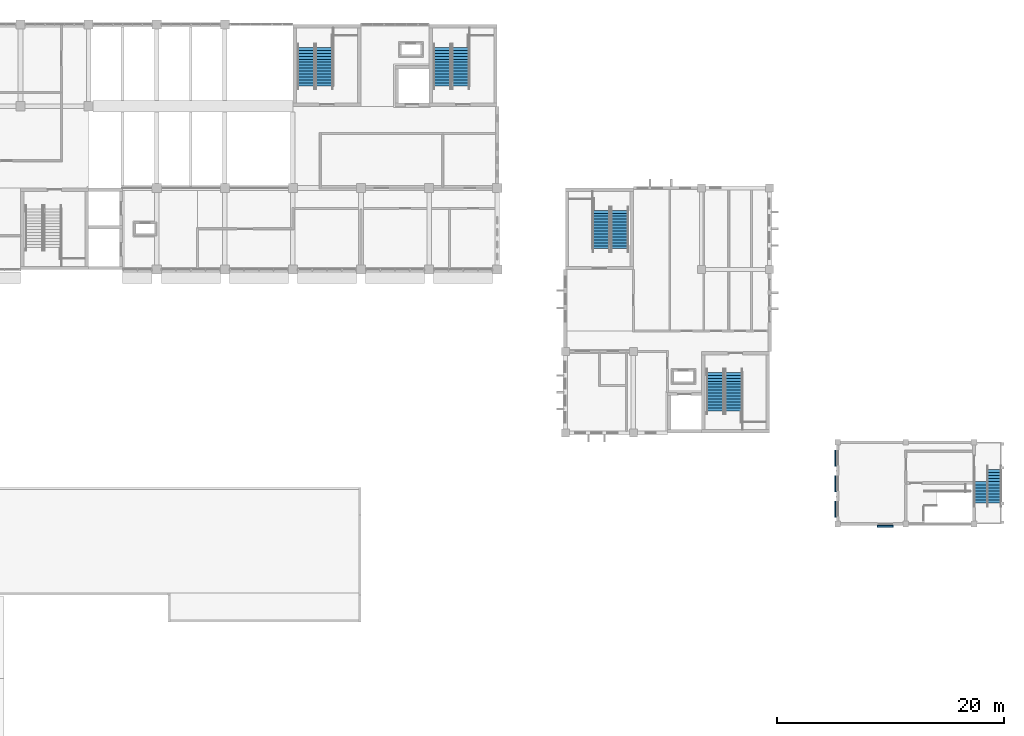
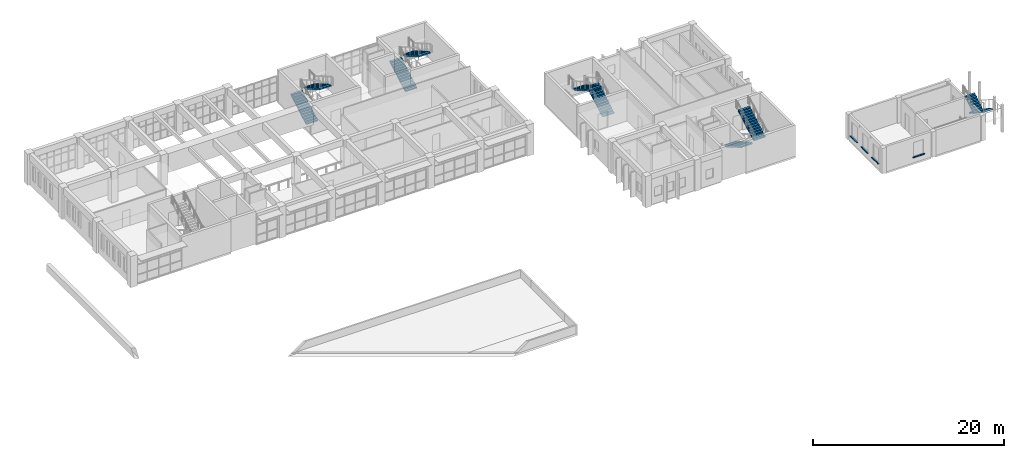
# One storey, part 37 of 47: 10 stair flights, 4 discrete accessories, 5 elements without a shape of their own.
"""IFC4 building model written with IfcOpenShell, lengths in metres."""

from ifc_helpers import new_model, si_unit, direction, frame, origin, origin_2d, place, context, subcontext, project, spatial, polyline, rectangle, outline, extrude, material, type_object, element, aggregate, save


model = new_model("IFC4")

# Units and contexts
model_context = context("Model", 3, precision=1e-05, world=origin(), true_north=direction((0.0, 1.0)))
body_context = subcontext(model_context, "Body", "Model", "MODEL_VIEW")
ifc_project = project(units=[si_unit("LENGTHUNIT", "METRE"), si_unit("AREAUNIT", "SQUARE_METRE"), si_unit("VOLUMEUNIT", "CUBIC_METRE"), si_unit("PLANEANGLEUNIT", "RADIAN"), si_unit("MASSUNIT", "GRAM", prefix="KILO")], contexts=[model_context])

# Site, building, storey
site_placement = place(None, origin())
site = spatial("IfcSite", under=ifc_project, at=site_placement, CompositionType="ELEMENT")
building_placement = place(site_placement, origin())
building = spatial("IfcBuilding", under=site, at=building_placement, Name="Laocheng Heights Fire and Rescue Headquarters", CompositionType="ELEMENT")
storey_placement = place(building_placement, frame((0.0, 0.0, 16.800048828125)))
storey = spatial("IfcBuildingStorey", under=building, at=storey_placement, Name="L04", CompositionType="ELEMENT", Elevation=16.800048828125)

# Stair, stair flights
ifc_material_1 = material(Name="Concrete C40", Category="concrete")
stair_type_1 = type_object("IfcStairType", Name="RC STAIR 1200 TWO FLIGHTS 20 RISERS OF 175 GOING 270", PredefinedType="HALF_TURN_STAIR", material=ifc_material_1)
stair_1_placement = place(storey_placement, origin())
stair_1 = element("IfcStair", 1, at=stair_1_placement, inside=storey, type_object=stair_type_1, Name="Stair T2 (F6 to roof)", PredefinedType="HALF_TURN_STAIR")
ifc_material_2 = material(Name="Concrete C40", Category="concrete")
stair_flight_type_1 = type_object("IfcStairFlightType", Name="RC STAIR FLIGHT 1200 RISERS OF 175 GOING 270", PredefinedType="STRAIGHT", material=ifc_material_2)
stair_flight_1_placement = place(storey_placement, frame((127.800048828125, 32.800048828125, 0.699951171875), z_axis=(0.0, 0.0, 1.0), x_axis=(0.0, -1.0, 0.0)))
stair_flight_1 = element("IfcStairFlight", 2, at=stair_flight_1_placement, type_object=stair_flight_type_1, Name="T2-F6 flight 1", NumberOfRisers=12, NumberOfTreads=11, PredefinedType="STRAIGHT", RiserHeight=0.175, TreadLength=0.27, context=body_context, shape_type="SweptSolid", body=[
    extrude(outline(polyline([(0.0, 0.0), (0.0, 0.175048828125), (0.27001953125, 0.175048828125), (0.27001953125, 0.35009765625), (0.5400390625, 0.35009765625), (0.5400390625, 0.52490234375), (0.81005859375, 0.52490234375), (0.81005859375, 0.699951171875), (1.080078125, 0.699951171875), (1.080078125, 0.875), (1.35009765625, 0.875), (1.35009765625, 1.050048828125), (1.6201171875, 1.050048828125), (1.6201171875, 1.22509765625), (1.889892578125, 1.22509765625), (1.889892578125, 1.39990234375), (2.159912109375, 1.39990234375), (2.159912109375, 1.574951171875), (2.429931640625, 1.574951171875), (2.429931640625, 1.75), (2.699951171875, 1.75), (2.699951171875, 1.925048828125), (2.969970703125, 1.925048828125), (2.969970703125, 2.10009765625), (2.969970703125, 1.865478515625), (0.092041015625, 0.0), (0.0, 0.0)])), frame((0.0, 0.60009765625, 0.0), z_axis=(0.0, -1.0, 0.0), x_axis=(1.0, 0.0, 0.0)), (0.0, 0.0, 1.0), 1.199951171875),
])
stair_flight_2_placement = place(storey_placement, frame((126.60009765625, 29.830078125, 2.802001953125), z_axis=(0.0, 0.0, 1.0), x_axis=(0.0, 1.0, 0.0)))
stair_flight_2 = element("IfcStairFlight", 3, at=stair_flight_2_placement, type_object=stair_flight_type_1, Name="T2-F6 flight 2", NumberOfRisers=8, NumberOfTreads=7, PredefinedType="STRAIGHT", RiserHeight=0.175, TreadLength=0.27, context=body_context, shape_type="SweptSolid", body=[
    extrude(outline(polyline([(0.0, 0.0), (0.0, 0.175048828125), (0.27001953125, 0.175048828125), (0.27001953125, 0.35009765625), (0.5400390625, 0.35009765625), (0.5400390625, 0.52490234375), (0.81005859375, 0.52490234375), (0.81005859375, 0.699951171875), (1.080078125, 0.699951171875), (1.080078125, 0.875), (1.35009765625, 0.875), (1.35009765625, 1.050048828125), (1.6201171875, 1.050048828125), (1.6201171875, 1.22509765625), (1.889892578125, 1.22509765625), (1.889892578125, 1.39990234375), (1.889892578125, 1.165283203125), (0.092041015625, 0.0), (0.0, 0.0)])), frame((0.0, 0.60009765625, 0.0), z_axis=(0.0, -1.0, 0.0), x_axis=(1.0, 0.0, 0.0)), (0.0, 0.0, 1.0), 1.199951171875),
])
aggregate(stair_1, [stair_flight_1, stair_flight_2])

ifc_material_3 = material(Name="Concrete C40", Category="concrete")
stair_type_2 = type_object("IfcStairType", Name="RC STAIR 1400 TWO FLIGHTS 28 RISERS OF 150 GOING 260", PredefinedType="HALF_TURN_STAIR", material=ifc_material_3)
stair_2_placement = place(storey_placement, origin())
stair_2 = element("IfcStair", 4, at=stair_2_placement, inside=storey, type_object=stair_type_2, Name="Stair C1 (L04 to L05)", PredefinedType="HALF_TURN_STAIR")
ifc_material_4 = material(Name="Concrete C40", Category="concrete")
stair_flight_type_2 = type_object("IfcStairFlightType", Name="RC STAIR FLIGHT 1400 RISERS OF 150 GOING 260", PredefinedType="STRAIGHT", material=ifc_material_4)
stair_flight_3_placement = place(storey_placement, frame((103.22509765625, 41.35009765625, 0.0), z_axis=(0.0, 0.0, 1.0), x_axis=(0.0, -1.0, 0.0)))
stair_flight_3 = element("IfcStairFlight", 5, at=stair_flight_3_placement, type_object=stair_flight_type_2, Name="C1-L04 flight 1", NumberOfRisers=14, NumberOfTreads=13, PredefinedType="STRAIGHT", RiserHeight=0.15, TreadLength=0.26, context=body_context, shape_type="SweptSolid", body=[
    extrude(outline(polyline([(0.0, 0.0), (0.0, 0.14990234375), (0.260009765625, 0.14990234375), (0.260009765625, 0.300048828125), (0.52001953125, 0.300048828125), (0.52001953125, 0.449951171875), (0.780029296875, 0.449951171875), (0.780029296875, 0.60009765625), (1.0400390625, 0.60009765625), (1.0400390625, 0.75), (1.300048828125, 0.75), (1.300048828125, 0.89990234375), (1.56005859375, 0.89990234375), (1.56005859375, 1.050048828125), (1.820068359375, 1.050048828125), (1.820068359375, 1.199951171875), (2.080078125, 1.199951171875), (2.080078125, 1.35009765625), (2.340087890625, 1.35009765625), (2.340087890625, 1.5), (2.60009765625, 1.5), (2.60009765625, 1.64990234375), (2.860107421875, 1.64990234375), (2.860107421875, 1.800048828125), (3.1201171875, 1.800048828125), (3.1201171875, 1.949951171875), (3.3798828125, 1.949951171875), (3.3798828125, 2.10009765625), (3.3798828125, 1.77685546875), (0.300048828125, 0.0), (0.0, 0.0)])), frame((0.0, 0.699951171875, 0.0), z_axis=(0.0, -1.0, 0.0), x_axis=(1.0, 0.0, 0.0)), (0.0, 0.0, 1.0), 1.39990234375),
])
stair_flight_4_placement = place(storey_placement, frame((104.824951171875, 37.969970703125, 2.10205078125), z_axis=(0.0, 0.0, 1.0), x_axis=(0.0, 1.0, 0.0)))
stair_flight_4 = element("IfcStairFlight", 6, at=stair_flight_4_placement, type_object=stair_flight_type_2, Name="C1-L04 flight 2", NumberOfRisers=14, NumberOfTreads=13, PredefinedType="STRAIGHT", RiserHeight=0.15, TreadLength=0.26, context=body_context, shape_type="SweptSolid", body=[
    extrude(outline(polyline([(0.0, 0.0), (0.0, 0.14990234375), (0.260009765625, 0.14990234375), (0.260009765625, 0.300048828125), (0.52001953125, 0.300048828125), (0.52001953125, 0.449951171875), (0.780029296875, 0.449951171875), (0.780029296875, 0.60009765625), (1.0400390625, 0.60009765625), (1.0400390625, 0.75), (1.300048828125, 0.75), (1.300048828125, 0.89990234375), (1.56005859375, 0.89990234375), (1.56005859375, 1.050048828125), (1.820068359375, 1.050048828125), (1.820068359375, 1.199951171875), (2.080078125, 1.199951171875), (2.080078125, 1.35009765625), (2.340087890625, 1.35009765625), (2.340087890625, 1.5), (2.60009765625, 1.5), (2.60009765625, 1.64990234375), (2.860107421875, 1.64990234375), (2.860107421875, 1.800048828125), (3.1201171875, 1.800048828125), (3.1201171875, 1.949951171875), (3.3798828125, 1.949951171875), (3.3798828125, 2.10009765625), (3.3798828125, 1.77685546875), (0.300048828125, 0.0), (0.0, 0.0)])), frame((0.0, 0.699951171875, 0.0), z_axis=(0.0, -1.0, 0.0), x_axis=(1.0, 0.0, 0.0)), (0.0, 0.0, 1.0), 1.39990234375),
])
aggregate(stair_2, [stair_flight_3, stair_flight_4])

stair_3_placement = place(storey_placement, origin())
stair_3 = element("IfcStair", 7, at=stair_3_placement, inside=storey, type_object=stair_type_2, Name="Stair C2 (L04 to L05)", PredefinedType="HALF_TURN_STAIR")
stair_flight_5_placement = place(storey_placement, frame((94.77490234375, 52.25, 0.0), z_axis=(0.0, 0.0, 1.0), x_axis=(0.0, 1.0, 0.0)))
stair_flight_5 = element("IfcStairFlight", 8, at=stair_flight_5_placement, type_object=stair_flight_type_2, Name="C2-L04 flight 1", NumberOfRisers=14, NumberOfTreads=13, PredefinedType="STRAIGHT", RiserHeight=0.15, TreadLength=0.26, context=body_context, shape_type="SweptSolid", body=[
    extrude(outline(polyline([(0.0, 0.0), (0.0, 0.14990234375), (0.260009765625, 0.14990234375), (0.260009765625, 0.300048828125), (0.52001953125, 0.300048828125), (0.52001953125, 0.449951171875), (0.780029296875, 0.449951171875), (0.780029296875, 0.60009765625), (1.0400390625, 0.60009765625), (1.0400390625, 0.75), (1.300048828125, 0.75), (1.300048828125, 0.89990234375), (1.56005859375, 0.89990234375), (1.56005859375, 1.050048828125), (1.820068359375, 1.050048828125), (1.820068359375, 1.199951171875), (2.080078125, 1.199951171875), (2.080078125, 1.35009765625), (2.340087890625, 1.35009765625), (2.340087890625, 1.5), (2.60009765625, 1.5), (2.60009765625, 1.64990234375), (2.860107421875, 1.64990234375), (2.860107421875, 1.800048828125), (3.1201171875, 1.800048828125), (3.1201171875, 1.949951171875), (3.3798828125, 1.949951171875), (3.3798828125, 2.10009765625), (3.3798828125, 1.77685546875), (0.300048828125, 0.0), (0.0, 0.0)])), frame((0.0, 0.699951171875, 0.0), z_axis=(0.0, -1.0, 0.0), x_axis=(1.0, 0.0, 0.0)), (0.0, 0.0, 1.0), 1.39990234375),
])
stair_flight_6_placement = place(storey_placement, frame((93.175048828125, 55.6298828125, 2.10205078125), z_axis=(0.0, 0.0, 1.0), x_axis=(0.0, -1.0, 0.0)))
stair_flight_6 = element("IfcStairFlight", 9, at=stair_flight_6_placement, type_object=stair_flight_type_2, Name="C2-L04 flight 2", NumberOfRisers=14, NumberOfTreads=13, PredefinedType="STRAIGHT", RiserHeight=0.15, TreadLength=0.26, context=body_context, shape_type="SweptSolid", body=[
    extrude(outline(polyline([(0.0, 0.0), (0.0, 0.14990234375), (0.260009765625, 0.14990234375), (0.260009765625, 0.300048828125), (0.52001953125, 0.300048828125), (0.52001953125, 0.449951171875), (0.780029296875, 0.449951171875), (0.780029296875, 0.60009765625), (1.0400390625, 0.60009765625), (1.0400390625, 0.75), (1.300048828125, 0.75), (1.300048828125, 0.89990234375), (1.56005859375, 0.89990234375), (1.56005859375, 1.050048828125), (1.820068359375, 1.050048828125), (1.820068359375, 1.199951171875), (2.080078125, 1.199951171875), (2.080078125, 1.35009765625), (2.340087890625, 1.35009765625), (2.340087890625, 1.5), (2.60009765625, 1.5), (2.60009765625, 1.64990234375), (2.860107421875, 1.64990234375), (2.860107421875, 1.800048828125), (3.1201171875, 1.800048828125), (3.1201171875, 1.949951171875), (3.3798828125, 1.949951171875), (3.3798828125, 2.10009765625), (3.3798828125, 1.77685546875), (0.300048828125, 0.0), (0.0, 0.0)])), frame((0.0, 0.699951171875, 0.0), z_axis=(0.0, -1.0, 0.0), x_axis=(1.0, 0.0, 0.0)), (0.0, 0.0, 1.0), 1.39990234375),
])
aggregate(stair_3, [stair_flight_5, stair_flight_6])

stair_4_placement = place(storey_placement, origin())
stair_4 = element("IfcStair", 10, at=stair_4_placement, inside=storey, type_object=stair_type_2, Name="Stair H2 (L04 to L05)", PredefinedType="HALF_TURN_STAIR")
stair_flight_7_placement = place(storey_placement, frame((79.175048828125, 66.60009765625, 0.0), z_axis=(0.0, 0.0, 1.0), x_axis=(0.0, 1.0, 0.0)))
stair_flight_7 = element("IfcStairFlight", 11, at=stair_flight_7_placement, type_object=stair_flight_type_2, Name="H2-L04 flight 1", NumberOfRisers=14, NumberOfTreads=13, PredefinedType="STRAIGHT", RiserHeight=0.15, TreadLength=0.26, context=body_context, shape_type="SweptSolid", body=[
    extrude(outline(polyline([(0.0, 0.0), (0.0, 0.14990234375), (0.260009765625, 0.14990234375), (0.260009765625, 0.300048828125), (0.52001953125, 0.300048828125), (0.52001953125, 0.449951171875), (0.780029296875, 0.449951171875), (0.780029296875, 0.60009765625), (1.0400390625, 0.60009765625), (1.0400390625, 0.75), (1.300048828125, 0.75), (1.300048828125, 0.89990234375), (1.56005859375, 0.89990234375), (1.56005859375, 1.050048828125), (1.820068359375, 1.050048828125), (1.820068359375, 1.199951171875), (2.080078125, 1.199951171875), (2.080078125, 1.35009765625), (2.340087890625, 1.35009765625), (2.340087890625, 1.5), (2.60009765625, 1.5), (2.60009765625, 1.64990234375), (2.860107421875, 1.64990234375), (2.860107421875, 1.800048828125), (3.1201171875, 1.800048828125), (3.1201171875, 1.949951171875), (3.3798828125, 1.949951171875), (3.3798828125, 2.10009765625), (3.3798828125, 1.77685546875), (0.300048828125, 0.0), (0.0, 0.0)])), frame((0.0, 0.699951171875, 0.0), z_axis=(0.0, -1.0, 0.0), x_axis=(1.0, 0.0, 0.0)), (0.0, 0.0, 1.0), 1.39990234375),
])
stair_flight_8_placement = place(storey_placement, frame((80.77490234375, 69.97998046875, 2.10205078125), z_axis=(0.0, 0.0, 1.0), x_axis=(0.0, -1.0, 0.0)))
stair_flight_8 = element("IfcStairFlight", 12, at=stair_flight_8_placement, type_object=stair_flight_type_2, Name="H2-L04 flight 2", NumberOfRisers=14, NumberOfTreads=13, PredefinedType="STRAIGHT", RiserHeight=0.15, TreadLength=0.26, context=body_context, shape_type="SweptSolid", body=[
    extrude(outline(polyline([(0.0, 0.0), (0.0, 0.14990234375), (0.260009765625, 0.14990234375), (0.260009765625, 0.300048828125), (0.52001953125, 0.300048828125), (0.52001953125, 0.449951171875), (0.780029296875, 0.449951171875), (0.780029296875, 0.60009765625), (1.0400390625, 0.60009765625), (1.0400390625, 0.75), (1.300048828125, 0.75), (1.300048828125, 0.89990234375), (1.56005859375, 0.89990234375), (1.56005859375, 1.050048828125), (1.820068359375, 1.050048828125), (1.820068359375, 1.199951171875), (2.080078125, 1.199951171875), (2.080078125, 1.35009765625), (2.340087890625, 1.35009765625), (2.340087890625, 1.5), (2.60009765625, 1.5), (2.60009765625, 1.64990234375), (2.860107421875, 1.64990234375), (2.860107421875, 1.800048828125), (3.1201171875, 1.800048828125), (3.1201171875, 1.949951171875), (3.3798828125, 1.949951171875), (3.3798828125, 2.10009765625), (3.3798828125, 1.77685546875), (0.300048828125, 0.0), (0.0, 0.0)])), frame((0.0, 0.699951171875, 0.0), z_axis=(0.0, -1.0, 0.0), x_axis=(1.0, 0.0, 0.0)), (0.0, 0.0, 1.0), 1.39990234375),
])
aggregate(stair_4, [stair_flight_7, stair_flight_8])

stair_5_placement = place(storey_placement, origin())
stair_5 = element("IfcStair", 13, at=stair_5_placement, inside=storey, type_object=stair_type_2, Name="Stair H3 (L04 to L05)", PredefinedType="HALF_TURN_STAIR")
stair_flight_9_placement = place(storey_placement, frame((67.175048828125, 66.60009765625, 0.0), z_axis=(0.0, 0.0, 1.0), x_axis=(0.0, 1.0, 0.0)))
stair_flight_9 = element("IfcStairFlight", 14, at=stair_flight_9_placement, type_object=stair_flight_type_2, Name="H3-L04 flight 1", NumberOfRisers=14, NumberOfTreads=13, PredefinedType="STRAIGHT", RiserHeight=0.15, TreadLength=0.26, context=body_context, shape_type="SweptSolid", body=[
    extrude(outline(polyline([(0.0, 0.0), (0.0, 0.14990234375), (0.260009765625, 0.14990234375), (0.260009765625, 0.300048828125), (0.52001953125, 0.300048828125), (0.52001953125, 0.449951171875), (0.780029296875, 0.449951171875), (0.780029296875, 0.60009765625), (1.0400390625, 0.60009765625), (1.0400390625, 0.75), (1.300048828125, 0.75), (1.300048828125, 0.89990234375), (1.56005859375, 0.89990234375), (1.56005859375, 1.050048828125), (1.820068359375, 1.050048828125), (1.820068359375, 1.199951171875), (2.080078125, 1.199951171875), (2.080078125, 1.35009765625), (2.340087890625, 1.35009765625), (2.340087890625, 1.5), (2.60009765625, 1.5), (2.60009765625, 1.64990234375), (2.860107421875, 1.64990234375), (2.860107421875, 1.800048828125), (3.1201171875, 1.800048828125), (3.1201171875, 1.949951171875), (3.3798828125, 1.949951171875), (3.3798828125, 2.10009765625), (3.3798828125, 1.77685546875), (0.300048828125, 0.0), (0.0, 0.0)])), frame((0.0, 0.699951171875, 0.0), z_axis=(0.0, -1.0, 0.0), x_axis=(1.0, 0.0, 0.0)), (0.0, 0.0, 1.0), 1.39990234375),
])
stair_flight_10_placement = place(storey_placement, frame((68.77490234375, 69.97998046875, 2.10205078125), z_axis=(0.0, 0.0, 1.0), x_axis=(0.0, -1.0, 0.0)))
stair_flight_10 = element("IfcStairFlight", 15, at=stair_flight_10_placement, type_object=stair_flight_type_2, Name="H3-L04 flight 2", NumberOfRisers=14, NumberOfTreads=13, PredefinedType="STRAIGHT", RiserHeight=0.15, TreadLength=0.26, context=body_context, shape_type="SweptSolid", body=[
    extrude(outline(polyline([(0.0, 0.0), (0.0, 0.14990234375), (0.260009765625, 0.14990234375), (0.260009765625, 0.300048828125), (0.52001953125, 0.300048828125), (0.52001953125, 0.449951171875), (0.780029296875, 0.449951171875), (0.780029296875, 0.60009765625), (1.0400390625, 0.60009765625), (1.0400390625, 0.75), (1.300048828125, 0.75), (1.300048828125, 0.89990234375), (1.56005859375, 0.89990234375), (1.56005859375, 1.050048828125), (1.820068359375, 1.050048828125), (1.820068359375, 1.199951171875), (2.080078125, 1.199951171875), (2.080078125, 1.35009765625), (2.340087890625, 1.35009765625), (2.340087890625, 1.5), (2.60009765625, 1.5), (2.60009765625, 1.64990234375), (2.860107421875, 1.64990234375), (2.860107421875, 1.800048828125), (3.1201171875, 1.800048828125), (3.1201171875, 1.949951171875), (3.3798828125, 1.949951171875), (3.3798828125, 2.10009765625), (3.3798828125, 1.77685546875), (0.300048828125, 0.0), (0.0, 0.0)])), frame((0.0, 0.699951171875, 0.0), z_axis=(0.0, -1.0, 0.0), x_axis=(1.0, 0.0, 0.0)), (0.0, 0.0, 1.0), 1.39990234375),
])
aggregate(stair_5, [stair_flight_9, stair_flight_10])

# Discrete accessories
ifc_material_5 = material(Name="Timber board, treated", Category="wood")
discrete_accessory_type = type_object("IfcDiscreteAccessoryType", Name="DRILL TIMBER SILL BOARD 150 x 50", PredefinedType="USERDEFINED", material=ifc_material_5)
for number, where, z_axis, x_axis, name in (
    (16, (113.800048828125, 29.300048828125, 1.44970703125), (0.0, 0.0, 1.0), (1.0, 0.0, 0.0), "Sill board F6 W"),
    (17, (113.800048828125, 31.550048828125, 1.44970703125), (0.0, 0.0, 1.0), (1.0, 0.0, 0.0), "Sill board F6 W"),
    (18, (113.800048828125, 33.800048828125, 1.44970703125), (0.0, 0.0, 1.0), (1.0, 0.0, 0.0), "Sill board F6 W"),
):
    element("IfcDiscreteAccessory", number, at=place(storey_placement, frame(where, z_axis=z_axis, x_axis=x_axis)), inside=storey, type_object=discrete_accessory_type, Name=name, ObjectType="SILL BOARD", PredefinedType="USERDEFINED", context=body_context, shape_type="SweptSolid", body=[
        extrude(rectangle(XDim=0.14990234375, YDim=1.39990234375, at=origin_2d()), origin(), (0.0, 0.0, 1.0), 0.050048828125),
    ])
discrete_accessory_placement = place(storey_placement, frame((118.199951171875, 27.800048828125, 1.44970703125), z_axis=(0.0, 0.0, 1.0), x_axis=(1.0, 0.0, 0.0)))
element("IfcDiscreteAccessory", 19, at=discrete_accessory_placement, inside=storey, type_object=discrete_accessory_type, Name="Sill board F6 S", ObjectType="SILL BOARD", PredefinedType="USERDEFINED", context=body_context, shape_type="SweptSolid", body=[
    extrude(rectangle(XDim=1.39990234375, YDim=0.14990234375, at=origin_2d()), origin(), (0.0, 0.0, 1.0), 0.050048828125),
])

save(model, "model.ifc")
